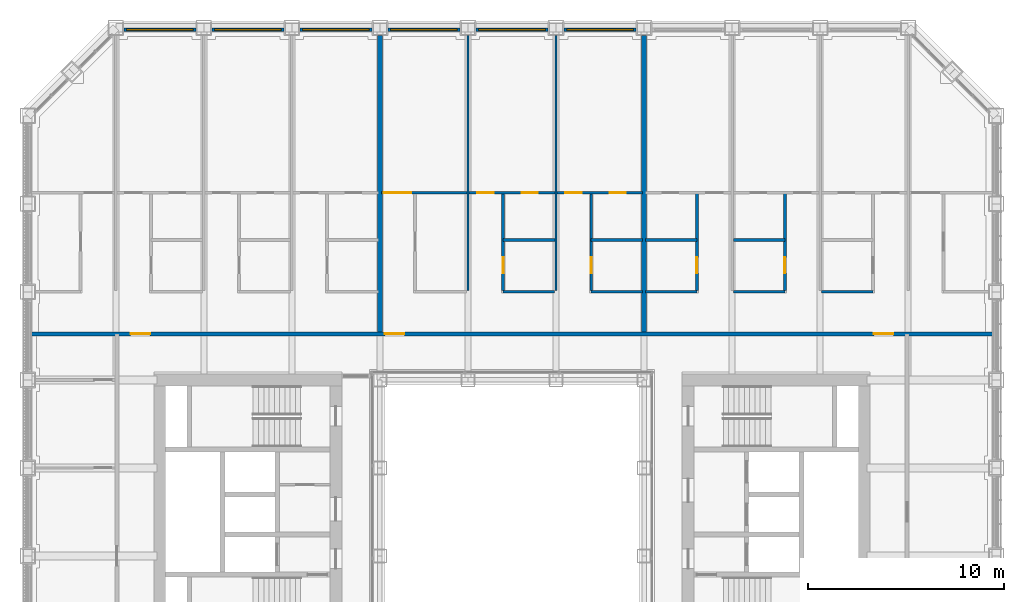
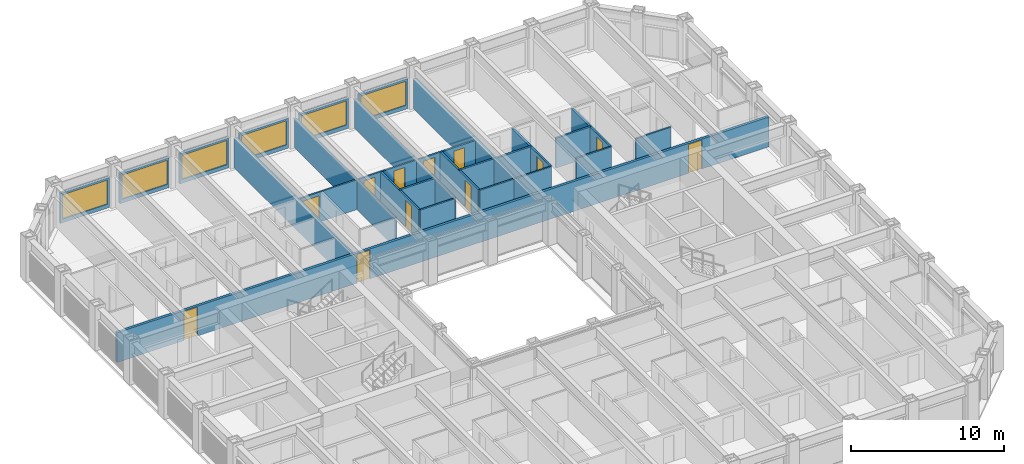
# One storey, part 14 of 21: 27 walls, 12 doors, 6 windows, 18 openings.
"""IFC4 building model written with IfcOpenShell, lengths in metres."""

import ifcopenshell
import ifcopenshell.guid

model = None  # the IFC model being written
_history = None  # IfcOwnerHistory: only IFC2X3 demands one
_inside = {}  # id of a spatial element -> (the spatial element, [elements in it])
_under = {}  # id of a project, library or spatial element -> (it, [spatial elements below it])
_declared = {}  # id of a project -> (the project, [libraries it declares])
_typed = {}  # id of a type object -> (the type object, [elements of that type])
_made_of = {}  # id of a material, layer set ... -> (it, [elements and type objects made of it])


def new_model(schema):
    """Start an empty IFC model of exactly this schema.

    Asked for "IFC4X3", IfcOpenShell would pick the latest addendum, in which some entities
    have other attributes; the version numbers below select the first issue.
    IFC2X3 requires an IfcOwnerHistory on every rooted entity: one is made here for all.
    """
    global model, _history
    if schema == "IFC4X3":
        model = ifcopenshell.file(schema_version=(4, 3, 0, 0))
    else:
        model = ifcopenshell.file(schema=schema)
    _inside.clear()
    _under.clear()
    _declared.clear()
    _typed.clear()
    _made_of.clear()
    _history = None
    if model.schema == "IFC2X3":
        org = make("IfcOrganization", Name="unknown")
        user = make(
            "IfcPersonAndOrganization",
            ThePerson=make("IfcPerson", FamilyName="unknown"),
            TheOrganization=org,
        )
        app = make(
            "IfcApplication",
            ApplicationDeveloper=org,
            Version="unknown",
            ApplicationFullName="unknown",
            ApplicationIdentifier="unknown",
        )
        _history = make(
            "IfcOwnerHistory",
            OwningUser=user,
            OwningApplication=app,
            ChangeAction="ADDED",
            CreationDate=0,
        )
    return model


def make(cls, **values):
    """One entity of the class cls with the attributes given. An attribute that is None is left unset."""
    return model.create_entity(
        cls, **{name: value for name, value in values.items() if value is not None}
    )


def rooted(cls, **values):
    """An entity with a GlobalId (a new one), such as an element, a storey or a relation."""
    return make(cls, GlobalId=ifcopenshell.guid.new(), OwnerHistory=_history, **values)


def si_unit(unit_type, name, prefix=None):
    """IfcSIUnit, for example si_unit("LENGTHUNIT", "METRE", prefix="MILLI")."""
    return make("IfcSIUnit", UnitType=unit_type, Prefix=prefix, Name=name)


def assignment(units):
    """IfcUnitAssignment: the units of a project."""
    return None if units is None else make("IfcUnitAssignment", Units=units)


def point(xyz):
    """IfcCartesianPoint."""
    return None if xyz is None else make("IfcCartesianPoint", Coordinates=xyz)


def direction(xyz):
    """IfcDirection."""
    return None if xyz is None else make("IfcDirection", DirectionRatios=xyz)


def frame(location, z_axis=None, x_axis=None):
    """IfcAxis2Placement3D, a coordinate frame: its origin and axes. An axis left out is left unset."""
    return make(
        "IfcAxis2Placement3D",
        Location=point(location),
        Axis=direction(z_axis),
        RefDirection=direction(x_axis),
    )


def frame_2d(location, x_axis=None):
    """IfcAxis2Placement2D, a coordinate frame in the plane: its origin and x axis."""
    return make(
        "IfcAxis2Placement2D", Location=point(location), RefDirection=direction(x_axis)
    )


def origin():
    """The frame at (0, 0, 0) with its axes left unset."""
    return frame((0.0, 0.0, 0.0))


def place(relative_to, where):
    """IfcLocalPlacement: puts the frame where relative to a parent placement (None: the world)."""
    return make(
        "IfcLocalPlacement", PlacementRelTo=relative_to, RelativePlacement=where
    )


def context(
    kind, dimensions, precision=None, world=None, true_north=None, identifier=None
):
    """IfcGeometricRepresentationContext, for example the 3D "Model" context."""
    return make(
        "IfcGeometricRepresentationContext",
        ContextIdentifier=identifier,
        ContextType=kind,
        CoordinateSpaceDimension=dimensions,
        Precision=precision,
        WorldCoordinateSystem=world,
        TrueNorth=true_north,
    )


def subcontext(parent, identifier, kind, view, scale=None):
    """IfcGeometricRepresentationSubContext, for example "Body" below "Model"."""
    return make(
        "IfcGeometricRepresentationSubContext",
        ContextIdentifier=identifier,
        ContextType=kind,
        ParentContext=parent,
        TargetScale=scale,
        TargetView=view,
    )


def project(units=None, contexts=None):
    """IfcProject with its units and contexts."""
    return rooted(
        "IfcProject",
        Name="project",
        RepresentationContexts=contexts,
        UnitsInContext=assignment(units),
    )


def spatial(cls, under=None, at=None, **own):
    """A site, building, storey or space (cls), placed at a placement, below another one or the project."""
    s = rooted(cls, ObjectPlacement=at, **own)
    if under is not None:
        _under.setdefault(under.id(), (under, []))[1].append(s)
    return s


def profile(cls, at=None, kind="AREA", **sizes):
    """A parametric profile (cls). Its sizes go by their IFC names, for example OverallWidth=200.0."""
    return make(cls, ProfileType=kind, Position=at, **sizes)


def rectangle(**sizes):
    """IfcRectangleProfileDef."""
    return profile("IfcRectangleProfileDef", **sizes)


def extrude(swept, where, along, depth):
    """IfcExtrudedAreaSolid: the profile swept, set in the frame where, extruded along a direction by depth."""
    return make(
        "IfcExtrudedAreaSolid",
        SweptArea=swept,
        Position=where,
        ExtrudedDirection=direction(along),
        Depth=depth,
    )


def shape(context_of_items, identifier, shape_type, items):
    """IfcShapeRepresentation: the items that make up one representation, for example the "Body"."""
    return make(
        "IfcShapeRepresentation",
        ContextOfItems=context_of_items,
        RepresentationIdentifier=identifier,
        RepresentationType=shape_type,
        Items=items,
    )


def material(Name=None, Category=None):
    """IfcMaterial."""
    return make("IfcMaterial", Name=Name, Category=Category)


def layer(
    of_material, thickness, ventilated=None, Name=None, Category=None, Priority=None
):
    """IfcMaterialLayer: one layer of a wall or slab, of a material (None: an air gap)."""
    return make(
        "IfcMaterialLayer",
        Material=of_material,
        LayerThickness=thickness,
        IsVentilated=ventilated,
        Name=Name,
        Category=Category,
        Priority=Priority,
    )


def layer_set(layers, Name=None):
    """IfcMaterialLayerSet."""
    return make("IfcMaterialLayerSet", MaterialLayers=layers, LayerSetName=Name)


def made_of(thing, what):
    """Note that an element or type object is made of a material, layer set ...; save() writes the relation."""
    if what is not None:
        _made_of.setdefault(what.id(), (what, []))[1].append(thing)
    return thing


def type_object(cls, material=None, **own):
    """A type object (cls), such as IfcWallType, which elements share."""
    return made_of(rooted(cls, **own), material)


def element(
    cls,
    number,
    at=None,
    inside=None,
    cuts=None,
    type_object=None,
    material=None,
    context=None,
    identifier="Body",
    shape_type=None,
    held_by="IfcProductDefinitionShape",
    body=None,
    shapes=None,
    **own,
):
    """One element of the class cls, such as IfcWall. Its Tag is "e" and its number.

    at: its placement. inside: the storey or other place that contains it. cuts: it is an
    opening in that element (IfcRelVoidsElement). A single representation is given by context,
    identifier, shape_type and body (its items); several are given by shapes. held_by: the class
    of the entity that holds the representations. save() writes the other relations.
    """
    e = rooted(cls, Tag="e%d" % number, ObjectPlacement=at, **own)
    if body is not None:
        shapes = [shape(context, identifier, shape_type, body)]
    if shapes is not None:
        e.Representation = make(held_by, Representations=shapes)
    if inside is not None:
        _inside.setdefault(inside.id(), (inside, []))[1].append(e)
    if cuts is not None:
        rooted(
            "IfcRelVoidsElement", RelatingBuildingElement=cuts, RelatedOpeningElement=e
        )
    if type_object is not None:
        _typed.setdefault(type_object.id(), (type_object, []))[1].append(e)
    return made_of(e, material)


def fill(opening, filler):
    """IfcRelFillsElement: the door or window that sits in an opening."""
    return rooted(
        "IfcRelFillsElement",
        RelatingOpeningElement=opening,
        RelatedBuildingElement=filler,
    )


def aggregate(whole, parts):
    """IfcRelAggregates: a whole, such as a stair, and the parts it consists of."""
    return rooted("IfcRelAggregates", RelatingObject=whole, RelatedObjects=parts)


def save(model, path):
    """Write the relations noted so far, then the file.

    IfcRelAggregates (storeys below a building ...), IfcRelContainedInSpatialStructure (elements
    in a storey), IfcRelDefinesByType, IfcRelAssociatesMaterial and IfcRelDeclares: one each for
    every whole, place, type object, material and project.
    """
    for whole, parts in _under.values():
        aggregate(whole, parts)
    for where, things in _inside.values():
        rooted(
            "IfcRelContainedInSpatialStructure",
            RelatedElements=things,
            RelatingStructure=where,
        )
    for kind, things in _typed.values():
        rooted("IfcRelDefinesByType", RelatedObjects=things, RelatingType=kind)
    for what, things in _made_of.values():
        rooted("IfcRelAssociatesMaterial", RelatedObjects=things, RelatingMaterial=what)
    for by, libraries in _declared.values():
        rooted("IfcRelDeclares", RelatingContext=by, RelatedDefinitions=libraries)
    model.write(path)


model = new_model("IFC4")

# Units and contexts
model_context = context("Model", 3, precision=1e-05, world=origin(), true_north=direction((0.0, 1.0)))
body_context = subcontext(model_context, "Body", "Model", "MODEL_VIEW")
ifc_project = project(units=[si_unit("LENGTHUNIT", "METRE"), si_unit("AREAUNIT", "SQUARE_METRE"), si_unit("VOLUMEUNIT", "CUBIC_METRE"), si_unit("PLANEANGLEUNIT", "RADIAN"), si_unit("MASSUNIT", "GRAM", prefix="KILO")], contexts=[model_context])

# Site, building, storey
site_placement = place(None, origin())
site = spatial("IfcSite", under=ifc_project, at=site_placement, CompositionType="ELEMENT")
building_placement = place(site_placement, origin())
building = spatial("IfcBuilding", under=site, at=building_placement, Name="Msasa Ring Tower", CompositionType="ELEMENT")
storey_placement = place(building_placement, frame((0.0, 0.0, 89.5)))
storey = spatial("IfcBuildingStorey", under=building, at=storey_placement, Name="L23", CompositionType="ELEMENT", Elevation=89.5)

# Wall, opening, window
ifc_material_1 = material(Name="Terracotta rainscreen on blockwork", Category="masonry")
ifc_layer_1 = layer(ifc_material_1, 0.199951171875)
ifc_layer_set_1 = layer_set([ifc_layer_1], Name="FW1 TERRACOTTA-LINED INFILL BAY WALL 200")
wall_type_1 = type_object("IfcWallType", Name="FW1 TERRACOTTA-LINED INFILL BAY WALL 200", PredefinedType="SOLIDWALL", material=ifc_layer_set_1)
wall_1_placement = place(storey_placement, frame((-19.844970703125, 24.64990234375, 0.0), z_axis=(0.0, 0.0, 1.0), x_axis=(1.0, 0.0, 0.0)))
wall_1 = element("IfcWall", 1, at=wall_1_placement, inside=storey, type_object=wall_type_1, Name="Infill bay wall N L23 22", PredefinedType="SOLIDWALL", context=body_context, shape_type="SweptSolid", body=[
    extrude(rectangle(XDim=3.68994140625, YDim=0.199951171875, at=frame_2d((1.844970703125, 0.0))), origin(), (0.0, 0.0, 1.0), 2.37890625),
])
opening_1_placement = place(wall_1_placement, frame((0.14501953125, 0.0, 0.300048828125)))
opening_1 = element("IfcOpeningElement", 2, at=opening_1_placement, cuts=wall_1, Name="Opening WN1", PredefinedType="OPENING", context=body_context, shape_type="SweptSolid", body=[
    extrude(rectangle(XDim=3.39990234375, YDim=1.928955078125, at=frame_2d((1.699951171875, 0.96435546875))), frame((0.0, 0.10986328125, 0.0), z_axis=(0.0, -1.0, 0.0), x_axis=(1.0, 0.0, 0.0)), (0.0, 0.0, 1.0), 0.219970703125),
])
ifc_material_2 = material(Name="Aluminium frame with clear glass", Category="aluminium")
window_type = type_object("IfcWindowType", Name="WN1 RESIDENCE WINDOW 3400x1929", PartitioningType="SINGLE_PANEL", PredefinedType="WINDOW", material=ifc_material_2)
window_1_placement = place(opening_1_placement, origin())
window_1 = element("IfcWindow", 3, at=window_1_placement, inside=storey, type_object=window_type, Name="Window N L23 22", OverallHeight=1.928955078125, OverallWidth=3.39990234375, PartitioningType="SINGLE_PANEL", PredefinedType="WINDOW", context=body_context, shape_type="SweptSolid", body=[
    extrude(rectangle(XDim=3.39990234375, YDim=1.928955078125, at=frame_2d((1.699951171875, 0.96435546875))), frame((0.0, 0.030029296875, 0.0), z_axis=(0.0, -1.0, 0.0), x_axis=(1.0, 0.0, 0.0)), (0.0, 0.0, 1.0), 0.06005859375),
])
fill(opening_1, window_1)

wall_2_placement = place(storey_placement, frame((-15.344970703125, 24.64990234375, 0.0), z_axis=(0.0, 0.0, 1.0), x_axis=(1.0, 0.0, 0.0)))
wall_2 = element("IfcWall", 4, at=wall_2_placement, inside=storey, type_object=wall_type_1, Name="Infill bay wall N L23 23", PredefinedType="SOLIDWALL", context=body_context, shape_type="SweptSolid", body=[
    extrude(rectangle(XDim=3.68994140625, YDim=0.199951171875, at=frame_2d((1.844970703125, 0.0))), origin(), (0.0, 0.0, 1.0), 2.37890625),
])
opening_2_placement = place(wall_2_placement, frame((0.14501953125, 0.0, 0.300048828125)))
opening_2 = element("IfcOpeningElement", 5, at=opening_2_placement, cuts=wall_2, Name="Opening WN1", PredefinedType="OPENING", context=body_context, shape_type="SweptSolid", body=[
    extrude(rectangle(XDim=3.39990234375, YDim=1.928955078125, at=frame_2d((1.699951171875, 0.96435546875))), frame((0.0, 0.10986328125, 0.0), z_axis=(0.0, -1.0, 0.0), x_axis=(1.0, 0.0, 0.0)), (0.0, 0.0, 1.0), 0.219970703125),
])
window_2_placement = place(opening_2_placement, origin())
window_2 = element("IfcWindow", 6, at=window_2_placement, inside=storey, type_object=window_type, Name="Window N L23 23", OverallHeight=1.928955078125, OverallWidth=3.39990234375, PartitioningType="SINGLE_PANEL", PredefinedType="WINDOW", context=body_context, shape_type="SweptSolid", body=[
    extrude(rectangle(XDim=3.39990234375, YDim=1.928955078125, at=frame_2d((1.699951171875, 0.96435546875))), frame((0.0, 0.030029296875, 0.0), z_axis=(0.0, -1.0, 0.0), x_axis=(1.0, 0.0, 0.0)), (0.0, 0.0, 1.0), 0.06005859375),
])
fill(opening_2, window_2)

wall_3_placement = place(storey_placement, frame((-10.844970703125, 24.64990234375, 0.0), z_axis=(0.0, 0.0, 1.0), x_axis=(1.0, 0.0, 0.0)))
wall_3 = element("IfcWall", 7, at=wall_3_placement, inside=storey, type_object=wall_type_1, Name="Infill bay wall N L23 24", PredefinedType="SOLIDWALL", context=body_context, shape_type="SweptSolid", body=[
    extrude(rectangle(XDim=3.68994140625, YDim=0.199951171875, at=frame_2d((1.844970703125, 0.0))), origin(), (0.0, 0.0, 1.0), 2.37890625),
])
opening_3_placement = place(wall_3_placement, frame((0.14501953125, 0.0, 0.300048828125)))
opening_3 = element("IfcOpeningElement", 8, at=opening_3_placement, cuts=wall_3, Name="Opening WN1", PredefinedType="OPENING", context=body_context, shape_type="SweptSolid", body=[
    extrude(rectangle(XDim=3.39990234375, YDim=1.928955078125, at=frame_2d((1.699951171875, 0.96435546875))), frame((0.0, 0.10986328125, 0.0), z_axis=(0.0, -1.0, 0.0), x_axis=(1.0, 0.0, 0.0)), (0.0, 0.0, 1.0), 0.219970703125),
])
window_3_placement = place(opening_3_placement, origin())
window_3 = element("IfcWindow", 9, at=window_3_placement, inside=storey, type_object=window_type, Name="Window N L23 24", OverallHeight=1.928955078125, OverallWidth=3.39990234375, PartitioningType="SINGLE_PANEL", PredefinedType="WINDOW", context=body_context, shape_type="SweptSolid", body=[
    extrude(rectangle(XDim=3.39990234375, YDim=1.928955078125, at=frame_2d((1.699951171875, 0.96435546875))), frame((0.0, 0.030029296875, 0.0), z_axis=(0.0, -1.0, 0.0), x_axis=(1.0, 0.0, 0.0)), (0.0, 0.0, 1.0), 0.06005859375),
])
fill(opening_3, window_3)

wall_4_placement = place(storey_placement, frame((-6.344970703125, 24.64990234375, 0.0), z_axis=(0.0, 0.0, 1.0), x_axis=(1.0, 0.0, 0.0)))
wall_4 = element("IfcWall", 10, at=wall_4_placement, inside=storey, type_object=wall_type_1, Name="Infill bay wall N L23 25", PredefinedType="SOLIDWALL", context=body_context, shape_type="SweptSolid", body=[
    extrude(rectangle(XDim=3.68994140625, YDim=0.199951171875, at=frame_2d((1.844970703125, 0.0))), origin(), (0.0, 0.0, 1.0), 2.37890625),
])
opening_4_placement = place(wall_4_placement, frame((0.14501953125, 0.0, 0.300048828125)))
opening_4 = element("IfcOpeningElement", 11, at=opening_4_placement, cuts=wall_4, Name="Opening WN1", PredefinedType="OPENING", context=body_context, shape_type="SweptSolid", body=[
    extrude(rectangle(XDim=3.39990234375, YDim=1.928955078125, at=frame_2d((1.699951171875, 0.96435546875))), frame((0.0, 0.10986328125, 0.0), z_axis=(0.0, -1.0, 0.0), x_axis=(1.0, 0.0, 0.0)), (0.0, 0.0, 1.0), 0.219970703125),
])
window_4_placement = place(opening_4_placement, origin())
window_4 = element("IfcWindow", 12, at=window_4_placement, inside=storey, type_object=window_type, Name="Window N L23 25", OverallHeight=1.928955078125, OverallWidth=3.39990234375, PartitioningType="SINGLE_PANEL", PredefinedType="WINDOW", context=body_context, shape_type="SweptSolid", body=[
    extrude(rectangle(XDim=3.39990234375, YDim=1.928955078125, at=frame_2d((1.699951171875, 0.96435546875))), frame((0.0, 0.030029296875, 0.0), z_axis=(0.0, -1.0, 0.0), x_axis=(1.0, 0.0, 0.0)), (0.0, 0.0, 1.0), 0.06005859375),
])
fill(opening_4, window_4)

wall_5_placement = place(storey_placement, frame((-1.844970703125, 24.64990234375, 0.0), z_axis=(0.0, 0.0, 1.0), x_axis=(1.0, 0.0, 0.0)))
wall_5 = element("IfcWall", 13, at=wall_5_placement, inside=storey, type_object=wall_type_1, Name="Infill bay wall N L23 26", PredefinedType="SOLIDWALL", context=body_context, shape_type="SweptSolid", body=[
    extrude(rectangle(XDim=3.68994140625, YDim=0.199951171875, at=frame_2d((1.844970703125, 0.0))), origin(), (0.0, 0.0, 1.0), 2.37890625),
])
opening_5_placement = place(wall_5_placement, frame((0.14501953125, 0.0, 0.300048828125)))
opening_5 = element("IfcOpeningElement", 14, at=opening_5_placement, cuts=wall_5, Name="Opening WN1", PredefinedType="OPENING", context=body_context, shape_type="SweptSolid", body=[
    extrude(rectangle(XDim=3.39990234375, YDim=1.928955078125, at=frame_2d((1.699951171875, 0.96435546875))), frame((0.0, 0.10986328125, 0.0), z_axis=(0.0, -1.0, 0.0), x_axis=(1.0, 0.0, 0.0)), (0.0, 0.0, 1.0), 0.219970703125),
])
window_5_placement = place(opening_5_placement, origin())
window_5 = element("IfcWindow", 15, at=window_5_placement, inside=storey, type_object=window_type, Name="Window N L23 26", OverallHeight=1.928955078125, OverallWidth=3.39990234375, PartitioningType="SINGLE_PANEL", PredefinedType="WINDOW", context=body_context, shape_type="SweptSolid", body=[
    extrude(rectangle(XDim=3.39990234375, YDim=1.928955078125, at=frame_2d((1.699951171875, 0.96435546875))), frame((0.0, 0.030029296875, 0.0), z_axis=(0.0, -1.0, 0.0), x_axis=(1.0, 0.0, 0.0)), (0.0, 0.0, 1.0), 0.06005859375),
])
fill(opening_5, window_5)

wall_6_placement = place(storey_placement, frame((2.655029296875, 24.64990234375, 0.0), z_axis=(0.0, 0.0, 1.0), x_axis=(1.0, 0.0, 0.0)))
wall_6 = element("IfcWall", 16, at=wall_6_placement, inside=storey, type_object=wall_type_1, Name="Infill bay wall N L23 27", PredefinedType="SOLIDWALL", context=body_context, shape_type="SweptSolid", body=[
    extrude(rectangle(XDim=3.68994140625, YDim=0.199951171875, at=frame_2d((1.844970703125, 0.0))), origin(), (0.0, 0.0, 1.0), 2.37890625),
])
opening_6_placement = place(wall_6_placement, frame((0.14501953125, 0.0, 0.300048828125)))
opening_6 = element("IfcOpeningElement", 17, at=opening_6_placement, cuts=wall_6, Name="Opening WN1", PredefinedType="OPENING", context=body_context, shape_type="SweptSolid", body=[
    extrude(rectangle(XDim=3.39990234375, YDim=1.928955078125, at=frame_2d((1.699951171875, 0.96435546875))), frame((0.0, 0.10986328125, 0.0), z_axis=(0.0, -1.0, 0.0), x_axis=(1.0, 0.0, 0.0)), (0.0, 0.0, 1.0), 0.219970703125),
])
window_6_placement = place(opening_6_placement, origin())
window_6 = element("IfcWindow", 18, at=window_6_placement, inside=storey, type_object=window_type, Name="Window N L23 27", OverallHeight=1.928955078125, OverallWidth=3.39990234375, PartitioningType="SINGLE_PANEL", PredefinedType="WINDOW", context=body_context, shape_type="SweptSolid", body=[
    extrude(rectangle(XDim=3.39990234375, YDim=1.928955078125, at=frame_2d((1.699951171875, 0.96435546875))), frame((0.0, 0.030029296875, 0.0), z_axis=(0.0, -1.0, 0.0), x_axis=(1.0, 0.0, 0.0)), (0.0, 0.0, 1.0), 0.06005859375),
])
fill(opening_6, window_6)

# Wall, openings, doors
ifc_material_3 = material(Name="Concrete blockwork", Category="masonry")
ifc_layer_2 = layer(ifc_material_3, 0.199951171875)
ifc_layer_set_2 = layer_set([ifc_layer_2], Name="PT1 CORRIDOR WALL 200")
wall_type_2 = type_object("IfcWallType", Name="PT1 CORRIDOR WALL 200", PredefinedType="PARTITIONING", material=ifc_layer_set_2)
wall_7_placement = place(storey_placement, frame((-24.550048828125, 9.10009765625, 0.0), z_axis=(0.0, 0.0, 1.0), x_axis=(1.0, 0.0, 0.0)))
wall_7 = element("IfcWall", 19, at=wall_7_placement, inside=storey, type_object=wall_type_2, Name="Corridor wall L23-CORRN0", PredefinedType="PARTITIONING", context=body_context, shape_type="SweptSolid", body=[
    extrude(rectangle(XDim=49.10009765625, YDim=0.199951171875, at=frame_2d((24.550048828125, 0.0))), origin(), (0.0, 0.0, 1.0), 2.373291015625),
])
opening_7_placement = place(wall_7_placement, frame((5.050048828125, 0.0, 0.0)))
opening_7 = element("IfcOpeningElement", 20, at=opening_7_placement, cuts=wall_7, Name="Opening RG-031", PredefinedType="OPENING", context=body_context, shape_type="SweptSolid", body=[
    extrude(rectangle(XDim=1.0, YDim=2.300048828125, at=frame_2d((0.5, 1.14990234375))), frame((0.0, 0.10986328125, 0.0), z_axis=(0.0, -1.0, 0.0), x_axis=(1.0, 0.0, 0.0)), (0.0, 0.0, 1.0), 0.219970703125),
])
opening_8_placement = place(wall_7_placement, frame((18.050048828125, 0.0, 0.0)))
opening_8 = element("IfcOpeningElement", 21, at=opening_8_placement, cuts=wall_7, Name="Opening RG-032", PredefinedType="OPENING", context=body_context, shape_type="SweptSolid", body=[
    extrude(rectangle(XDim=1.0, YDim=2.300048828125, at=frame_2d((0.5, 1.14990234375))), frame((0.0, 0.10986328125, 0.0), z_axis=(0.0, -1.0, 0.0), x_axis=(1.0, 0.0, 0.0)), (0.0, 0.0, 1.0), 0.219970703125),
])
opening_9_placement = place(wall_7_placement, frame((43.050048828125, 0.0, 0.0)))
opening_9 = element("IfcOpeningElement", 22, at=opening_9_placement, cuts=wall_7, Name="Opening RG-033", PredefinedType="OPENING", context=body_context, shape_type="SweptSolid", body=[
    extrude(rectangle(XDim=1.0, YDim=2.300048828125, at=frame_2d((0.5, 1.14990234375))), frame((0.0, 0.10986328125, 0.0), z_axis=(0.0, -1.0, 0.0), x_axis=(1.0, 0.0, 0.0)), (0.0, 0.0, 1.0), 0.219970703125),
])
ifc_material_4 = material(Name="Timber door leaf in a steel frame", Category="steel")
door_type_1 = type_object("IfcDoorType", Name="D16 UPPER RESIDENCE ENTRANCE DOOR 1000x2300", OperationType="SINGLE_SWING_LEFT", PredefinedType="DOOR", material=ifc_material_4)
door_1_placement = place(opening_7_placement, origin())
door_1 = element("IfcDoor", 23, at=door_1_placement, inside=storey, type_object=door_type_1, Name="Door L23-UN00", OperationType="SINGLE_SWING_LEFT", OverallHeight=2.300048828125, OverallWidth=1.0, PredefinedType="DOOR", context=body_context, shape_type="SweptSolid", body=[
    extrude(rectangle(XDim=1.0, YDim=2.300048828125, at=frame_2d((0.5, 1.14990234375))), frame((0.0, 0.02490234375, 0.0), z_axis=(0.0, -1.0, 0.0), x_axis=(1.0, 0.0, 0.0)), (0.0, 0.0, 1.0), 0.050048828125),
])
fill(opening_7, door_1)
door_2_placement = place(opening_8_placement, origin())
door_2 = element("IfcDoor", 24, at=door_2_placement, inside=storey, type_object=door_type_1, Name="Door L23-UN01", OperationType="SINGLE_SWING_LEFT", OverallHeight=2.300048828125, OverallWidth=1.0, PredefinedType="DOOR", context=body_context, shape_type="SweptSolid", body=[
    extrude(rectangle(XDim=1.0, YDim=2.300048828125, at=frame_2d((0.5, 1.14990234375))), frame((0.0, 0.02490234375, 0.0), z_axis=(0.0, -1.0, 0.0), x_axis=(1.0, 0.0, 0.0)), (0.0, 0.0, 1.0), 0.050048828125),
])
fill(opening_8, door_2)
door_3_placement = place(opening_9_placement, origin())
door_3 = element("IfcDoor", 25, at=door_3_placement, inside=storey, type_object=door_type_1, Name="Door L23-UN02", OperationType="SINGLE_SWING_RIGHT", OverallHeight=2.300048828125, OverallWidth=1.0, PredefinedType="DOOR", context=body_context, shape_type="SweptSolid", body=[
    extrude(rectangle(XDim=1.0, YDim=2.300048828125, at=frame_2d((0.5, 1.14990234375))), frame((0.0, 0.02490234375, 0.0), z_axis=(0.0, -1.0, 0.0), x_axis=(1.0, 0.0, 0.0)), (0.0, 0.0, 1.0), 0.050048828125),
])
fill(opening_9, door_3)

# Walls
ifc_material_5 = material(Name="Dense concrete blockwork, plastered both faces", Category="masonry")
ifc_layer_3 = layer(ifc_material_5, 0.25)
ifc_layer_set_3 = layer_set([ifc_layer_3], Name="PT3 APARTMENT SEPARATING WALL 250")
wall_type_3 = type_object("IfcWallType", Name="PT3 APARTMENT SEPARATING WALL 250", PredefinedType="PARTITIONING", material=ifc_layer_set_3)
for number, where, z_axis, x_axis, name in (
    (26, (-6.75, 9.199951171875, 0.0), (0.0, 0.0, 1.0), (0.0, 1.0, 0.0), "Party wall L23-PWN-6.75"),
    (27, (6.75, 9.199951171875, 0.0), (0.0, 0.0, 1.0), (0.0, 1.0, 0.0), "Party wall L23-PWN+6.75"),
):
    element("IfcWall", number, at=place(storey_placement, frame(where, z_axis=z_axis, x_axis=x_axis)), inside=storey, type_object=wall_type_3, Name=name, PredefinedType="PARTITIONING", context=body_context, shape_type="SweptSolid", body=[
        extrude(rectangle(XDim=15.150146484375, YDim=0.25, at=frame_2d((7.5751953125, 0.0))), origin(), (0.0, 0.0, 1.0), 2.373291015625),
    ])

# Wall, opening, door
ifc_material_6 = material(Name="Moisture-resistant board on steel studs with a concealed cistern and pipe void, tiled", Category="steel")
ifc_layer_4 = layer(ifc_material_6, 0.14990234375)
ifc_layer_set_4 = layer_set([ifc_layer_4], Name="PT4 BATHROOM WET WALL 150")
wall_type_4 = type_object("IfcWallType", Name="PT4 BATHROOM WET WALL 150", PredefinedType="PARTITIONING", material=ifc_layer_set_4)
wall_8_placement = place(storey_placement, frame((-0.449951171875, 11.3125, 0.0), z_axis=(0.0, 0.0, 1.0), x_axis=(0.0, 1.0, 0.0)))
wall_8 = element("IfcWall", 28, at=wall_8_placement, inside=storey, type_object=wall_type_4, Name="Partition L23-UN01SX1", PredefinedType="PARTITIONING", context=body_context, shape_type="SweptSolid", body=[
    extrude(rectangle(XDim=5.0, YDim=0.14990234375, at=frame_2d((2.5, 0.0))), origin(), (0.0, 0.0, 1.0), 2.373291015625),
])
opening_10_placement = place(wall_8_placement, frame((0.89990234375, 0.0, 0.0)))
opening_10 = element("IfcOpeningElement", 29, at=opening_10_placement, cuts=wall_8, Name="Opening RG-026", PredefinedType="OPENING", context=body_context, shape_type="SweptSolid", body=[
    extrude(rectangle(XDim=0.800048828125, YDim=2.10009765625, at=frame_2d((0.39990234375, 1.050048828125))), frame((0.0, 0.0849609375, 0.0), z_axis=(0.0, -1.0, 0.0), x_axis=(1.0, 0.0, 0.0)), (0.0, 0.0, 1.0), 0.169921875),
])
ifc_material_7 = material(Name="Timber door leaf in a steel frame", Category="steel")
door_type_2 = type_object("IfcDoorType", Name="D21 POCKET SLIDING BATHROOM DOOR 800x2100", OperationType="SINGLE_SWING_LEFT", PredefinedType="DOOR", material=ifc_material_7)
door_4_placement = place(opening_10_placement, origin())
door_4 = element("IfcDoor", 30, at=door_4_placement, inside=storey, type_object=door_type_2, Name="Door L23-UN01B1", OperationType="SINGLE_SWING_LEFT", OverallHeight=2.10009765625, OverallWidth=0.800048828125, PredefinedType="DOOR", context=body_context, shape_type="SweptSolid", body=[
    extrude(rectangle(XDim=0.800048828125, YDim=2.10009765625, at=frame_2d((0.39990234375, 1.050048828125))), frame((0.0, 0.02490234375, 0.0), z_axis=(0.0, -1.0, 0.0), x_axis=(1.0, 0.0, 0.0)), (0.0, 0.0, 1.0), 0.050048828125),
])
fill(opening_10, door_4)

# Wall
wall_9_placement = place(storey_placement, frame((-0.449951171875, 13.91259765625, 0.0), z_axis=(0.0, 0.0, 1.0), x_axis=(1.0, 0.0, 0.0)))
element("IfcWall", 31, at=wall_9_placement, inside=storey, type_object=wall_type_4, Name="Partition L23-UN01SB1", PredefinedType="PARTITIONING", context=body_context, shape_type="SweptSolid", body=[
    extrude(rectangle(XDim=2.637451171875, YDim=0.14990234375, at=frame_2d((1.31884765625, 0.0))), origin(), (0.0, 0.0, 1.0), 2.373291015625),
])

# Wall, opening, door
wall_10_placement = place(storey_placement, frame((4.050048828125, 11.3125, 0.0), z_axis=(0.0, 0.0, 1.0), x_axis=(0.0, 1.0, 0.0)))
wall_10 = element("IfcWall", 32, at=wall_10_placement, inside=storey, type_object=wall_type_4, Name="Partition L23-UN01SX2", PredefinedType="PARTITIONING", context=body_context, shape_type="SweptSolid", body=[
    extrude(rectangle(XDim=5.0, YDim=0.14990234375, at=frame_2d((2.5, 0.0))), origin(), (0.0, 0.0, 1.0), 2.373291015625),
])
opening_11_placement = place(wall_10_placement, frame((0.89990234375, 0.0, 0.0)))
opening_11 = element("IfcOpeningElement", 33, at=opening_11_placement, cuts=wall_10, Name="Opening RG-027", PredefinedType="OPENING", context=body_context, shape_type="SweptSolid", body=[
    extrude(rectangle(XDim=0.800048828125, YDim=2.10009765625, at=frame_2d((0.39990234375, 1.050048828125))), frame((0.0, 0.0849609375, 0.0), z_axis=(0.0, -1.0, 0.0), x_axis=(1.0, 0.0, 0.0)), (0.0, 0.0, 1.0), 0.169921875),
])
door_5_placement = place(opening_11_placement, origin())
door_5 = element("IfcDoor", 34, at=door_5_placement, inside=storey, type_object=door_type_2, Name="Door L23-UN01B2", OperationType="SINGLE_SWING_LEFT", OverallHeight=2.10009765625, OverallWidth=0.800048828125, PredefinedType="DOOR", context=body_context, shape_type="SweptSolid", body=[
    extrude(rectangle(XDim=0.800048828125, YDim=2.10009765625, at=frame_2d((0.39990234375, 1.050048828125))), frame((0.0, 0.02490234375, 0.0), z_axis=(0.0, -1.0, 0.0), x_axis=(1.0, 0.0, 0.0)), (0.0, 0.0, 1.0), 0.050048828125),
])
fill(opening_11, door_5)

# Wall
wall_11_placement = place(storey_placement, frame((4.050048828125, 13.91259765625, 0.0), z_axis=(0.0, 0.0, 1.0), x_axis=(1.0, 0.0, 0.0)))
element("IfcWall", 35, at=wall_11_placement, inside=storey, type_object=wall_type_4, Name="Partition L23-UN01SB2", PredefinedType="PARTITIONING", context=body_context, shape_type="SweptSolid", body=[
    extrude(rectangle(XDim=2.632568359375, YDim=0.14990234375, at=frame_2d((1.31640625, 0.0))), origin(), (0.0, 0.0, 1.0), 2.373291015625),
])

# Wall, opening, door
wall_12_placement = place(storey_placement, frame((13.949951171875, 11.3125, 0.0), z_axis=(0.0, 0.0, 1.0), x_axis=(0.0, 1.0, 0.0)))
wall_12 = element("IfcWall", 36, at=wall_12_placement, inside=storey, type_object=wall_type_4, Name="Partition L23-UN02SX2", PredefinedType="PARTITIONING", context=body_context, shape_type="SweptSolid", body=[
    extrude(rectangle(XDim=5.0, YDim=0.14990234375, at=frame_2d((2.5, 0.0))), origin(), (0.0, 0.0, 1.0), 2.373291015625),
])
opening_12_placement = place(wall_12_placement, frame((0.89990234375, 0.0, 0.0)))
opening_12 = element("IfcOpeningElement", 37, at=opening_12_placement, cuts=wall_12, Name="Opening RG-029", PredefinedType="OPENING", context=body_context, shape_type="SweptSolid", body=[
    extrude(rectangle(XDim=0.800048828125, YDim=2.10009765625, at=frame_2d((0.39990234375, 1.050048828125))), frame((0.0, 0.0849609375, 0.0), z_axis=(0.0, -1.0, 0.0), x_axis=(1.0, 0.0, 0.0)), (0.0, 0.0, 1.0), 0.169921875),
])
door_6_placement = place(opening_12_placement, origin())
door_6 = element("IfcDoor", 38, at=door_6_placement, inside=storey, type_object=door_type_2, Name="Door L23-UN02B2", OperationType="SINGLE_SWING_LEFT", OverallHeight=2.10009765625, OverallWidth=0.800048828125, PredefinedType="DOOR", context=body_context, shape_type="SweptSolid", body=[
    extrude(rectangle(XDim=0.800048828125, YDim=2.10009765625, at=frame_2d((0.39990234375, 1.050048828125))), frame((0.0, 0.02490234375, 0.0), z_axis=(0.0, -1.0, 0.0), x_axis=(1.0, 0.0, 0.0)), (0.0, 0.0, 1.0), 0.050048828125),
])
fill(opening_12, door_6)

# Wall
wall_13_placement = place(storey_placement, frame((11.3125, 13.91259765625, 0.0), z_axis=(0.0, 0.0, 1.0), x_axis=(1.0, 0.0, 0.0)))
element("IfcWall", 39, at=wall_13_placement, inside=storey, type_object=wall_type_4, Name="Partition L23-UN02SB2", PredefinedType="PARTITIONING", context=body_context, shape_type="SweptSolid", body=[
    extrude(rectangle(XDim=2.637451171875, YDim=0.14990234375, at=frame_2d((1.31884765625, 0.0))), origin(), (0.0, 0.0, 1.0), 2.373291015625),
])

# Wall, opening, door
wall_14_placement = place(storey_placement, frame((9.449951171875, 11.3125, 0.0), z_axis=(0.0, 0.0, 1.0), x_axis=(0.0, 1.0, 0.0)))
wall_14 = element("IfcWall", 40, at=wall_14_placement, inside=storey, type_object=wall_type_4, Name="Partition L23-UN02SX3", PredefinedType="PARTITIONING", context=body_context, shape_type="SweptSolid", body=[
    extrude(rectangle(XDim=5.0, YDim=0.14990234375, at=frame_2d((2.5, 0.0))), origin(), (0.0, 0.0, 1.0), 2.373291015625),
])
opening_13_placement = place(wall_14_placement, frame((0.89990234375, 0.0, 0.0)))
opening_13 = element("IfcOpeningElement", 41, at=opening_13_placement, cuts=wall_14, Name="Opening RG-028", PredefinedType="OPENING", context=body_context, shape_type="SweptSolid", body=[
    extrude(rectangle(XDim=0.800048828125, YDim=2.10009765625, at=frame_2d((0.39990234375, 1.050048828125))), frame((0.0, 0.0849609375, 0.0), z_axis=(0.0, -1.0, 0.0), x_axis=(1.0, 0.0, 0.0)), (0.0, 0.0, 1.0), 0.169921875),
])
door_7_placement = place(opening_13_placement, origin())
door_7 = element("IfcDoor", 42, at=door_7_placement, inside=storey, type_object=door_type_2, Name="Door L23-UN02B3", OperationType="SINGLE_SWING_LEFT", OverallHeight=2.10009765625, OverallWidth=0.800048828125, PredefinedType="DOOR", context=body_context, shape_type="SweptSolid", body=[
    extrude(rectangle(XDim=0.800048828125, YDim=2.10009765625, at=frame_2d((0.39990234375, 1.050048828125))), frame((0.0, 0.02490234375, 0.0), z_axis=(0.0, -1.0, 0.0), x_axis=(1.0, 0.0, 0.0)), (0.0, 0.0, 1.0), 0.050048828125),
])
fill(opening_13, door_7)

# Wall
wall_15_placement = place(storey_placement, frame((6.8173828125, 13.91259765625, 0.0), z_axis=(0.0, 0.0, 1.0), x_axis=(1.0, 0.0, 0.0)))
element("IfcWall", 43, at=wall_15_placement, inside=storey, type_object=wall_type_4, Name="Partition L23-UN02SB3", PredefinedType="PARTITIONING", context=body_context, shape_type="SweptSolid", body=[
    extrude(rectangle(XDim=2.632568359375, YDim=0.14990234375, at=frame_2d((1.31640625, 0.0))), origin(), (0.0, 0.0, 1.0), 2.373291015625),
])

# Wall, opening, door
ifc_material_8 = material(Name="Two layers of acoustic board each face on steel studs, mineral wool", Category="steel")
ifc_layer_5 = layer(ifc_material_8, 0.125)
ifc_layer_set_5 = layer_set([ifc_layer_5], Name="PT6 ACOUSTIC DOUBLE-BOARD PARTITION 125")
wall_type_5 = type_object("IfcWallType", Name="PT6 ACOUSTIC DOUBLE-BOARD PARTITION 125", PredefinedType="PARTITIONING", material=ifc_layer_set_5)
wall_16_placement = place(storey_placement, frame((-6.6826171875, 16.3125, 0.0), z_axis=(0.0, 0.0, 1.0), x_axis=(1.0, 0.0, 0.0)))
wall_16 = element("IfcWall", 44, at=wall_16_placement, inside=storey, type_object=wall_type_5, Name="Partition L23-UN01SY0", PredefinedType="PARTITIONING", context=body_context, shape_type="SweptSolid", body=[
    extrude(rectangle(XDim=4.3701171875, YDim=0.125, at=frame_2d((2.18505859375, 0.0))), origin(), (0.0, 0.0, 1.0), 2.373291015625),
])
opening_14_placement = place(wall_16_placement, frame((0.132568359375, 0.0, 0.0)))
opening_14 = element("IfcOpeningElement", 45, at=opening_14_placement, cuts=wall_16, Name="Opening RG-008", PredefinedType="OPENING", context=body_context, shape_type="SweptSolid", body=[
    extrude(rectangle(XDim=1.39990234375, YDim=2.10009765625, at=frame_2d((0.699951171875, 1.050048828125))), frame((0.0, 0.072509765625, 0.0), z_axis=(0.0, -1.0, 0.0), x_axis=(1.0, 0.0, 0.0)), (0.0, 0.0, 1.0), 0.14501953125),
])
ifc_material_9 = material(Name="Timber door leaf in a steel frame", Category="steel")
door_type_3 = type_object("IfcDoorType", Name="D15 LIVING ROOM PAIR OF GLAZED DOORS 1400x2100", OperationType="SINGLE_SWING_LEFT", PredefinedType="DOOR", material=ifc_material_9)
door_8_placement = place(opening_14_placement, origin())
door_8 = element("IfcDoor", 46, at=door_8_placement, inside=storey, type_object=door_type_3, Name="Door L23-UN01L", OperationType="SINGLE_SWING_LEFT", OverallHeight=2.10009765625, OverallWidth=1.39990234375, PredefinedType="DOOR", context=body_context, shape_type="SweptSolid", body=[
    extrude(rectangle(XDim=1.39990234375, YDim=2.10009765625, at=frame_2d((0.699951171875, 1.050048828125))), frame((0.0, 0.02490234375, 0.0), z_axis=(0.0, -1.0, 0.0), x_axis=(1.0, 0.0, 0.0)), (0.0, 0.0, 1.0), 0.050048828125),
])
fill(opening_14, door_8)

# Walls
wall_17_placement = place(storey_placement, frame((-2.25, 11.3125, 0.0), z_axis=(0.0, 0.0, 1.0), x_axis=(0.0, 1.0, 0.0)))
element("IfcWall", 47, at=wall_17_placement, inside=storey, type_object=wall_type_5, Name="Partition L23-UN01P1", PredefinedType="PARTITIONING", context=body_context, shape_type="SweptSolid", body=[
    extrude(rectangle(XDim=13.03759765625, YDim=0.125, at=frame_2d((6.518798828125, 0.0))), origin(), (0.0, 0.0, 1.0), 2.373291015625),
])
wall_18_placement = place(storey_placement, frame((-0.449951171875, 11.25, 0.0), z_axis=(0.0, 0.0, 1.0), x_axis=(1.0, 0.0, 0.0)))
element("IfcWall", 48, at=wall_18_placement, inside=storey, type_object=wall_type_5, Name="Partition L23-UN01HY1", PredefinedType="PARTITIONING", context=body_context, shape_type="SweptSolid", body=[
    extrude(rectangle(XDim=2.632568359375, YDim=0.125, at=frame_2d((1.31640625, 0.0))), origin(), (0.0, 0.0, 1.0), 2.373291015625),
])

# Wall, openings, doors
wall_19_placement = place(storey_placement, frame((-2.1875, 16.3125, 0.0), z_axis=(0.0, 0.0, 1.0), x_axis=(1.0, 0.0, 0.0)))
wall_19 = element("IfcWall", 49, at=wall_19_placement, inside=storey, type_object=wall_type_5, Name="Partition L23-UN01SY1", PredefinedType="PARTITIONING", context=body_context, shape_type="SweptSolid", body=[
    extrude(rectangle(XDim=4.375, YDim=0.125, at=frame_2d((2.1875, 0.0))), origin(), (0.0, 0.0, 1.0), 2.373291015625),
])
opening_15_placement = place(wall_19_placement, frame((0.41259765625, 0.0, 0.0)))
opening_15 = element("IfcOpeningElement", 50, at=opening_15_placement, cuts=wall_19, Name="Opening RG-009", PredefinedType="OPENING", context=body_context, shape_type="SweptSolid", body=[
    extrude(rectangle(XDim=0.85009765625, YDim=2.10009765625, at=frame_2d((0.425048828125, 1.050048828125))), frame((0.0, 0.072509765625, 0.0), z_axis=(0.0, -1.0, 0.0), x_axis=(1.0, 0.0, 0.0)), (0.0, 0.0, 1.0), 0.14501953125),
])
opening_16_placement = place(wall_19_placement, frame((2.69384765625, 0.0, 0.0)))
opening_16 = element("IfcOpeningElement", 51, at=opening_16_placement, cuts=wall_19, Name="Opening RG-010", PredefinedType="OPENING", context=body_context, shape_type="SweptSolid", body=[
    extrude(rectangle(XDim=0.800048828125, YDim=2.10009765625, at=frame_2d((0.39990234375, 1.050048828125))), frame((0.0, 0.072509765625, 0.0), z_axis=(0.0, -1.0, 0.0), x_axis=(1.0, 0.0, 0.0)), (0.0, 0.0, 1.0), 0.14501953125),
])
ifc_material_10 = material(Name="Timber door leaf in a steel frame", Category="steel")
door_type_4 = type_object("IfcDoorType", Name="D14 BEDROOM DOOR 850x2100", OperationType="SINGLE_SWING_LEFT", PredefinedType="DOOR", material=ifc_material_10)
door_9_placement = place(opening_15_placement, origin())
door_9 = element("IfcDoor", 52, at=door_9_placement, inside=storey, type_object=door_type_4, Name="Door L23-UN01R1", OperationType="SINGLE_SWING_LEFT", OverallHeight=2.10009765625, OverallWidth=0.85009765625, PredefinedType="DOOR", context=body_context, shape_type="SweptSolid", body=[
    extrude(rectangle(XDim=0.85009765625, YDim=2.10009765625, at=frame_2d((0.425048828125, 1.050048828125))), frame((0.0, 0.02490234375, 0.0), z_axis=(0.0, -1.0, 0.0), x_axis=(1.0, 0.0, 0.0)), (0.0, 0.0, 1.0), 0.050048828125),
])
fill(opening_15, door_9)
ifc_material_11 = material(Name="Timber door leaf in a steel frame", Category="steel")
door_type_5 = type_object("IfcDoorType", Name="D60 DRESSING ROOM DOOR 800x2100", OperationType="SINGLE_SWING_LEFT", PredefinedType="DOOR", material=ifc_material_11)
door_10_placement = place(opening_16_placement, origin())
door_10 = element("IfcDoor", 53, at=door_10_placement, inside=storey, type_object=door_type_5, Name="Door L23-UN01W1", OperationType="SINGLE_SWING_RIGHT", OverallHeight=2.10009765625, OverallWidth=0.800048828125, PredefinedType="DOOR", context=body_context, shape_type="SweptSolid", body=[
    extrude(rectangle(XDim=0.800048828125, YDim=2.10009765625, at=frame_2d((0.39990234375, 1.050048828125))), frame((0.0, 0.02490234375, 0.0), z_axis=(0.0, -1.0, 0.0), x_axis=(1.0, 0.0, 0.0)), (0.0, 0.0, 1.0), 0.050048828125),
])
fill(opening_16, door_10)

# Walls
wall_20_placement = place(storey_placement, frame((2.25, 11.3125, 0.0), z_axis=(0.0, 0.0, 1.0), x_axis=(0.0, 1.0, 0.0)))
element("IfcWall", 54, at=wall_20_placement, inside=storey, type_object=wall_type_5, Name="Partition L23-UN01P2", PredefinedType="PARTITIONING", context=body_context, shape_type="SweptSolid", body=[
    extrude(rectangle(XDim=13.03759765625, YDim=0.125, at=frame_2d((6.518798828125, 0.0))), origin(), (0.0, 0.0, 1.0), 2.373291015625),
])
wall_21_placement = place(storey_placement, frame((4.050048828125, 11.25, 0.0), z_axis=(0.0, 0.0, 1.0), x_axis=(1.0, 0.0, 0.0)))
element("IfcWall", 55, at=wall_21_placement, inside=storey, type_object=wall_type_5, Name="Partition L23-UN01HY2", PredefinedType="PARTITIONING", context=body_context, shape_type="SweptSolid", body=[
    extrude(rectangle(XDim=2.632568359375, YDim=0.125, at=frame_2d((1.31640625, 0.0))), origin(), (0.0, 0.0, 1.0), 2.373291015625),
])

# Wall, openings, doors
wall_22_placement = place(storey_placement, frame((2.3125, 16.3125, 0.0), z_axis=(0.0, 0.0, 1.0), x_axis=(1.0, 0.0, 0.0)))
wall_22 = element("IfcWall", 56, at=wall_22_placement, inside=storey, type_object=wall_type_5, Name="Partition L23-UN01SY2", PredefinedType="PARTITIONING", context=body_context, shape_type="SweptSolid", body=[
    extrude(rectangle(XDim=4.3701171875, YDim=0.125, at=frame_2d((2.18505859375, 0.0))), origin(), (0.0, 0.0, 1.0), 2.373291015625),
])
opening_17_placement = place(wall_22_placement, frame((0.41259765625, 0.0, 0.0)))
opening_17 = element("IfcOpeningElement", 57, at=opening_17_placement, cuts=wall_22, Name="Opening RG-011", PredefinedType="OPENING", context=body_context, shape_type="SweptSolid", body=[
    extrude(rectangle(XDim=0.85009765625, YDim=2.10009765625, at=frame_2d((0.425048828125, 1.050048828125))), frame((0.0, 0.072509765625, 0.0), z_axis=(0.0, -1.0, 0.0), x_axis=(1.0, 0.0, 0.0)), (0.0, 0.0, 1.0), 0.14501953125),
])
opening_18_placement = place(wall_22_placement, frame((2.693603515625, 0.0, 0.0)))
opening_18 = element("IfcOpeningElement", 58, at=opening_18_placement, cuts=wall_22, Name="Opening RG-012", PredefinedType="OPENING", context=body_context, shape_type="SweptSolid", body=[
    extrude(rectangle(XDim=0.800048828125, YDim=2.10009765625, at=frame_2d((0.39990234375, 1.050048828125))), frame((0.0, 0.072509765625, 0.0), z_axis=(0.0, -1.0, 0.0), x_axis=(1.0, 0.0, 0.0)), (0.0, 0.0, 1.0), 0.14501953125),
])
door_11_placement = place(opening_17_placement, origin())
door_11 = element("IfcDoor", 59, at=door_11_placement, inside=storey, type_object=door_type_4, Name="Door L23-UN01R2", OperationType="SINGLE_SWING_LEFT", OverallHeight=2.10009765625, OverallWidth=0.85009765625, PredefinedType="DOOR", context=body_context, shape_type="SweptSolid", body=[
    extrude(rectangle(XDim=0.85009765625, YDim=2.10009765625, at=frame_2d((0.425048828125, 1.050048828125))), frame((0.0, 0.02490234375, 0.0), z_axis=(0.0, -1.0, 0.0), x_axis=(1.0, 0.0, 0.0)), (0.0, 0.0, 1.0), 0.050048828125),
])
fill(opening_17, door_11)
door_12_placement = place(opening_18_placement, origin())
door_12 = element("IfcDoor", 60, at=door_12_placement, inside=storey, type_object=door_type_5, Name="Door L23-UN01W2", OperationType="SINGLE_SWING_RIGHT", OverallHeight=2.10009765625, OverallWidth=0.800048828125, PredefinedType="DOOR", context=body_context, shape_type="SweptSolid", body=[
    extrude(rectangle(XDim=0.800048828125, YDim=2.10009765625, at=frame_2d((0.39990234375, 1.050048828125))), frame((0.0, 0.02490234375, 0.0), z_axis=(0.0, -1.0, 0.0), x_axis=(1.0, 0.0, 0.0)), (0.0, 0.0, 1.0), 0.050048828125),
])
fill(opening_18, door_12)

# Walls
for number, where, z_axis, x_axis, name in (
    (61, (15.8173828125, 11.25, 0.0), (0.0, 0.0, 1.0), (1.0, 0.0, 0.0), "Partition L23-UN02HY1"),
    (62, (11.3173828125, 11.25, 0.0), (0.0, 0.0, 1.0), (1.0, 0.0, 0.0), "Partition L23-UN02HY2"),
    (63, (6.8173828125, 11.25, 0.0), (0.0, 0.0, 1.0), (1.0, 0.0, 0.0), "Partition L23-UN02HY3"),
):
    element("IfcWall", number, at=place(storey_placement, frame(where, z_axis=z_axis, x_axis=x_axis)), inside=storey, type_object=wall_type_5, Name=name, PredefinedType="PARTITIONING", context=body_context, shape_type="SweptSolid", body=[
        extrude(rectangle(XDim=2.632568359375, YDim=0.125, at=frame_2d((1.31640625, 0.0))), origin(), (0.0, 0.0, 1.0), 2.373291015625),
    ])

save(model, "model.ifc")
